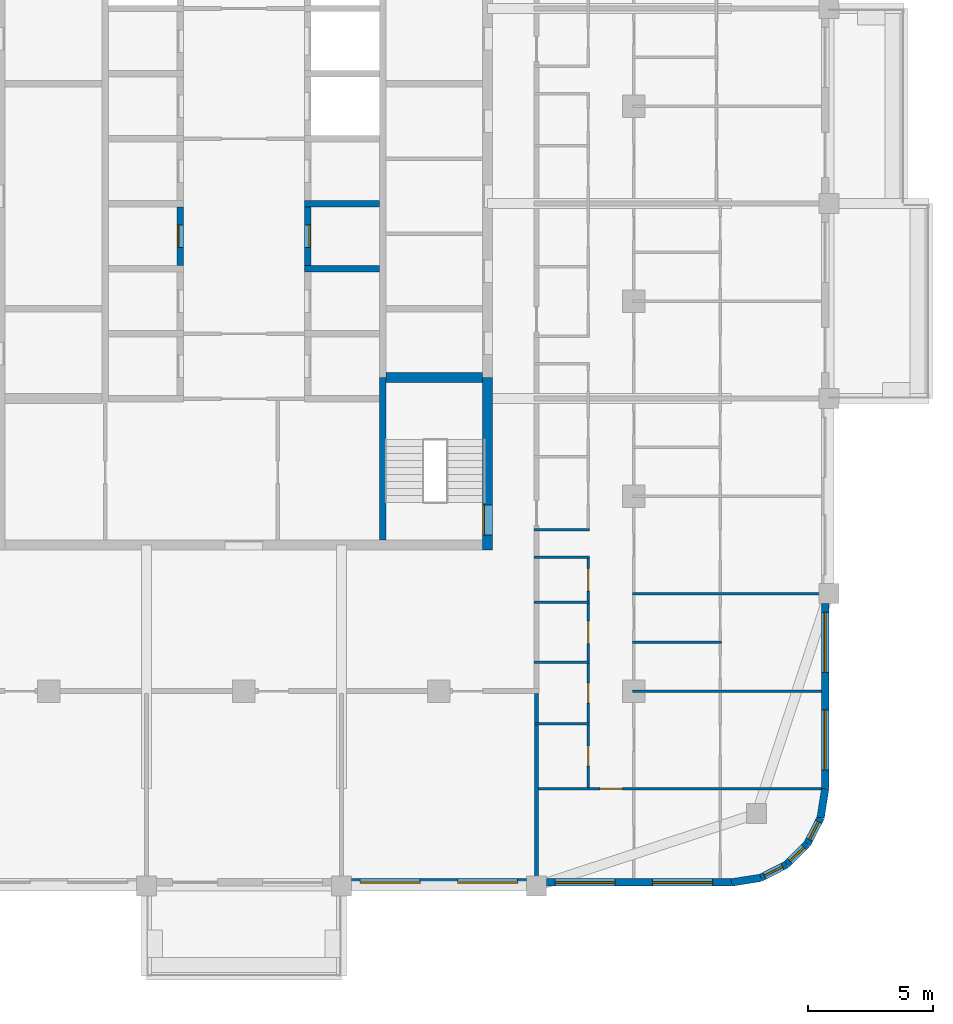
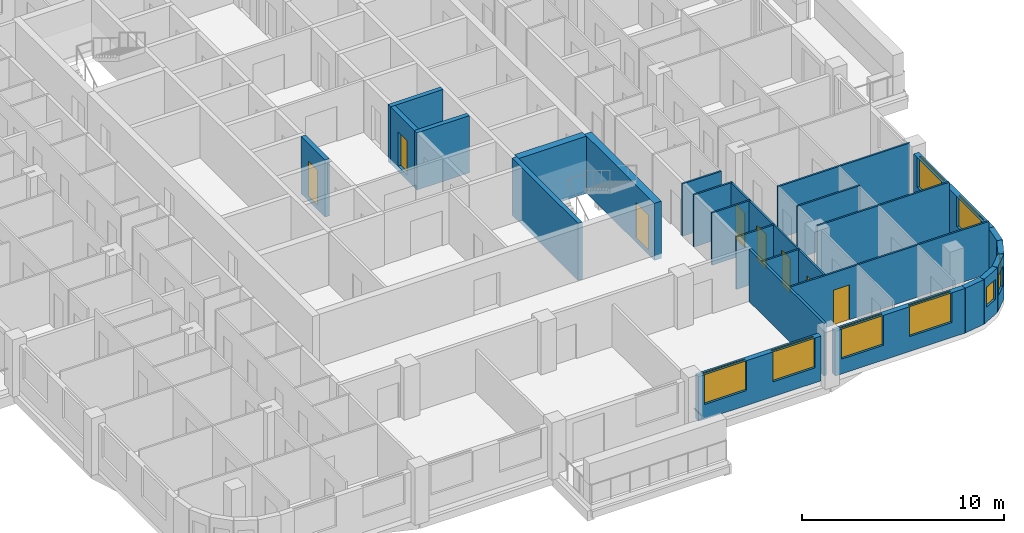
# One storey, part 5 of 15: 26 walls, 9 windows, 8 doors, 17 openings.
"""IFC4 building model written with IfcOpenShell, lengths in metres."""

import ifcopenshell
import ifcopenshell.guid

model = None  # the IFC model being written
_history = None  # IfcOwnerHistory: only IFC2X3 demands one
_inside = {}  # id of a spatial element -> (the spatial element, [elements in it])
_under = {}  # id of a project, library or spatial element -> (it, [spatial elements below it])
_declared = {}  # id of a project -> (the project, [libraries it declares])
_typed = {}  # id of a type object -> (the type object, [elements of that type])
_made_of = {}  # id of a material, layer set ... -> (it, [elements and type objects made of it])


def new_model(schema):
    """Start an empty IFC model of exactly this schema.

    Asked for "IFC4X3", IfcOpenShell would pick the latest addendum, in which some entities
    have other attributes; the version numbers below select the first issue.
    IFC2X3 requires an IfcOwnerHistory on every rooted entity: one is made here for all.
    """
    global model, _history
    if schema == "IFC4X3":
        model = ifcopenshell.file(schema_version=(4, 3, 0, 0))
    else:
        model = ifcopenshell.file(schema=schema)
    _inside.clear()
    _under.clear()
    _declared.clear()
    _typed.clear()
    _made_of.clear()
    _history = None
    if model.schema == "IFC2X3":
        org = make("IfcOrganization", Name="unknown")
        user = make(
            "IfcPersonAndOrganization",
            ThePerson=make("IfcPerson", FamilyName="unknown"),
            TheOrganization=org,
        )
        app = make(
            "IfcApplication",
            ApplicationDeveloper=org,
            Version="unknown",
            ApplicationFullName="unknown",
            ApplicationIdentifier="unknown",
        )
        _history = make(
            "IfcOwnerHistory",
            OwningUser=user,
            OwningApplication=app,
            ChangeAction="ADDED",
            CreationDate=0,
        )
    return model


def make(cls, **values):
    """One entity of the class cls with the attributes given. An attribute that is None is left unset."""
    return model.create_entity(
        cls, **{name: value for name, value in values.items() if value is not None}
    )


def rooted(cls, **values):
    """An entity with a GlobalId (a new one), such as an element, a storey or a relation."""
    return make(cls, GlobalId=ifcopenshell.guid.new(), OwnerHistory=_history, **values)


def si_unit(unit_type, name, prefix=None):
    """IfcSIUnit, for example si_unit("LENGTHUNIT", "METRE", prefix="MILLI")."""
    return make("IfcSIUnit", UnitType=unit_type, Prefix=prefix, Name=name)


def assignment(units):
    """IfcUnitAssignment: the units of a project."""
    return None if units is None else make("IfcUnitAssignment", Units=units)


def point(xyz):
    """IfcCartesianPoint."""
    return None if xyz is None else make("IfcCartesianPoint", Coordinates=xyz)


def direction(xyz):
    """IfcDirection."""
    return None if xyz is None else make("IfcDirection", DirectionRatios=xyz)


def frame(location, z_axis=None, x_axis=None):
    """IfcAxis2Placement3D, a coordinate frame: its origin and axes. An axis left out is left unset."""
    return make(
        "IfcAxis2Placement3D",
        Location=point(location),
        Axis=direction(z_axis),
        RefDirection=direction(x_axis),
    )


def frame_2d(location, x_axis=None):
    """IfcAxis2Placement2D, a coordinate frame in the plane: its origin and x axis."""
    return make(
        "IfcAxis2Placement2D", Location=point(location), RefDirection=direction(x_axis)
    )


def origin():
    """The frame at (0, 0, 0) with its axes left unset."""
    return frame((0.0, 0.0, 0.0))


def place(relative_to, where):
    """IfcLocalPlacement: puts the frame where relative to a parent placement (None: the world)."""
    return make(
        "IfcLocalPlacement", PlacementRelTo=relative_to, RelativePlacement=where
    )


def context(
    kind, dimensions, precision=None, world=None, true_north=None, identifier=None
):
    """IfcGeometricRepresentationContext, for example the 3D "Model" context."""
    return make(
        "IfcGeometricRepresentationContext",
        ContextIdentifier=identifier,
        ContextType=kind,
        CoordinateSpaceDimension=dimensions,
        Precision=precision,
        WorldCoordinateSystem=world,
        TrueNorth=true_north,
    )


def subcontext(parent, identifier, kind, view, scale=None):
    """IfcGeometricRepresentationSubContext, for example "Body" below "Model"."""
    return make(
        "IfcGeometricRepresentationSubContext",
        ContextIdentifier=identifier,
        ContextType=kind,
        ParentContext=parent,
        TargetScale=scale,
        TargetView=view,
    )


def project(units=None, contexts=None):
    """IfcProject with its units and contexts."""
    return rooted(
        "IfcProject",
        Name="project",
        RepresentationContexts=contexts,
        UnitsInContext=assignment(units),
    )


def spatial(cls, under=None, at=None, **own):
    """A site, building, storey or space (cls), placed at a placement, below another one or the project."""
    s = rooted(cls, ObjectPlacement=at, **own)
    if under is not None:
        _under.setdefault(under.id(), (under, []))[1].append(s)
    return s


def profile(cls, at=None, kind="AREA", **sizes):
    """A parametric profile (cls). Its sizes go by their IFC names, for example OverallWidth=200.0."""
    return make(cls, ProfileType=kind, Position=at, **sizes)


def rectangle(**sizes):
    """IfcRectangleProfileDef."""
    return profile("IfcRectangleProfileDef", **sizes)


def extrude(swept, where, along, depth):
    """IfcExtrudedAreaSolid: the profile swept, set in the frame where, extruded along a direction by depth."""
    return make(
        "IfcExtrudedAreaSolid",
        SweptArea=swept,
        Position=where,
        ExtrudedDirection=direction(along),
        Depth=depth,
    )


def shape(context_of_items, identifier, shape_type, items):
    """IfcShapeRepresentation: the items that make up one representation, for example the "Body"."""
    return make(
        "IfcShapeRepresentation",
        ContextOfItems=context_of_items,
        RepresentationIdentifier=identifier,
        RepresentationType=shape_type,
        Items=items,
    )


def material(Name=None, Category=None):
    """IfcMaterial."""
    return make("IfcMaterial", Name=Name, Category=Category)


def layer(
    of_material, thickness, ventilated=None, Name=None, Category=None, Priority=None
):
    """IfcMaterialLayer: one layer of a wall or slab, of a material (None: an air gap)."""
    return make(
        "IfcMaterialLayer",
        Material=of_material,
        LayerThickness=thickness,
        IsVentilated=ventilated,
        Name=Name,
        Category=Category,
        Priority=Priority,
    )


def layer_set(layers, Name=None):
    """IfcMaterialLayerSet."""
    return make("IfcMaterialLayerSet", MaterialLayers=layers, LayerSetName=Name)


def made_of(thing, what):
    """Note that an element or type object is made of a material, layer set ...; save() writes the relation."""
    if what is not None:
        _made_of.setdefault(what.id(), (what, []))[1].append(thing)
    return thing


def type_object(cls, material=None, **own):
    """A type object (cls), such as IfcWallType, which elements share."""
    return made_of(rooted(cls, **own), material)


def element(
    cls,
    number,
    at=None,
    inside=None,
    cuts=None,
    type_object=None,
    material=None,
    context=None,
    identifier="Body",
    shape_type=None,
    held_by="IfcProductDefinitionShape",
    body=None,
    shapes=None,
    **own,
):
    """One element of the class cls, such as IfcWall. Its Tag is "e" and its number.

    at: its placement. inside: the storey or other place that contains it. cuts: it is an
    opening in that element (IfcRelVoidsElement). A single representation is given by context,
    identifier, shape_type and body (its items); several are given by shapes. held_by: the class
    of the entity that holds the representations. save() writes the other relations.
    """
    e = rooted(cls, Tag="e%d" % number, ObjectPlacement=at, **own)
    if body is not None:
        shapes = [shape(context, identifier, shape_type, body)]
    if shapes is not None:
        e.Representation = make(held_by, Representations=shapes)
    if inside is not None:
        _inside.setdefault(inside.id(), (inside, []))[1].append(e)
    if cuts is not None:
        rooted(
            "IfcRelVoidsElement", RelatingBuildingElement=cuts, RelatedOpeningElement=e
        )
    if type_object is not None:
        _typed.setdefault(type_object.id(), (type_object, []))[1].append(e)
    return made_of(e, material)


def fill(opening, filler):
    """IfcRelFillsElement: the door or window that sits in an opening."""
    return rooted(
        "IfcRelFillsElement",
        RelatingOpeningElement=opening,
        RelatedBuildingElement=filler,
    )


def aggregate(whole, parts):
    """IfcRelAggregates: a whole, such as a stair, and the parts it consists of."""
    return rooted("IfcRelAggregates", RelatingObject=whole, RelatedObjects=parts)


def save(model, path):
    """Write the relations noted so far, then the file.

    IfcRelAggregates (storeys below a building ...), IfcRelContainedInSpatialStructure (elements
    in a storey), IfcRelDefinesByType, IfcRelAssociatesMaterial and IfcRelDeclares: one each for
    every whole, place, type object, material and project.
    """
    for whole, parts in _under.values():
        aggregate(whole, parts)
    for where, things in _inside.values():
        rooted(
            "IfcRelContainedInSpatialStructure",
            RelatedElements=things,
            RelatingStructure=where,
        )
    for kind, things in _typed.values():
        rooted("IfcRelDefinesByType", RelatedObjects=things, RelatingType=kind)
    for what, things in _made_of.values():
        rooted("IfcRelAssociatesMaterial", RelatedObjects=things, RelatingMaterial=what)
    for by, libraries in _declared.values():
        rooted("IfcRelDeclares", RelatingContext=by, RelatedDefinitions=libraries)
    model.write(path)


model = new_model("IFC4")

# Units and contexts
model_context = context("Model", 3, precision=1e-05, world=origin(), true_north=direction((0.0, 1.0)))
body_context = subcontext(model_context, "Body", "Model", "MODEL_VIEW")
ifc_project = project(units=[si_unit("LENGTHUNIT", "METRE"), si_unit("AREAUNIT", "SQUARE_METRE"), si_unit("VOLUMEUNIT", "CUBIC_METRE"), si_unit("PLANEANGLEUNIT", "RADIAN"), si_unit("MASSUNIT", "GRAM", prefix="KILO")], contexts=[model_context])

# Site, building, storey
site_placement = place(None, origin())
site = spatial("IfcSite", under=ifc_project, at=site_placement, CompositionType="ELEMENT")
building_placement = place(site_placement, origin())
building = spatial("IfcBuilding", under=site, at=building_placement, Name="Ludao Terraces", CompositionType="ELEMENT")
storey_placement = place(building_placement, frame((0.0, 0.0, 197.300048828125)))
storey = spatial("IfcBuildingStorey", under=building, at=storey_placement, Name="L53", CompositionType="ELEMENT", Elevation=197.300048828125)

# Wall, opening, door
ifc_material_1 = material(Name="Concrete C50", Category="concrete")
ifc_layer_1 = layer(ifc_material_1, 0.39990234375)
ifc_layer_set_1 = layer_set([ifc_layer_1], Name="Core wall 400 C50")
wall_type_1 = type_object("IfcWallType", Name="Core wall 400 C50", PredefinedType="SOLIDWALL", material=ifc_layer_set_1)
wall_1_placement = place(storey_placement, frame((94.75, 55.050048828125, -0.300048828125), z_axis=(0.0, 0.0, 1.0), x_axis=(0.0, 1.0, 0.0)))
wall_1 = element("IfcWall", 1, at=wall_1_placement, inside=storey, type_object=wall_type_1, Name="Core wall L53 outer-E-S3", PredefinedType="SOLIDWALL", context=body_context, shape_type="SweptSolid", body=[
    extrude(rectangle(XDim=6.89990234375, YDim=0.39990234375, at=frame_2d((3.449951171875, 0.0))), origin(), (0.0, 0.0, 1.0), 3.449951171875),
])
opening_1_placement = place(wall_1_placement, frame((0.60009765625, 0.0, 0.300048828125)))
opening_1 = element("IfcOpeningElement", 2, at=opening_1_placement, cuts=wall_1, Name="Opening R19-033", PredefinedType="OPENING", context=body_context, shape_type="SweptSolid", body=[
    extrude(rectangle(XDim=1.199951171875, YDim=2.10009765625, at=frame_2d((0.60009765625, 1.050048828125))), frame((0.0, 0.2099609375, 0.0), z_axis=(0.0, -1.0, 0.0), x_axis=(1.0, 0.0, 0.0)), (0.0, 0.0, 1.0), 0.419921875),
])
ifc_material_2 = material(Name="Steel Q235", Category="steel")
door_type_1 = type_object("IfcDoorType", Name="INT Stair door 1200", OperationType="DOUBLE_DOOR_SINGLE_SWING", PredefinedType="DOOR", material=ifc_material_2)
door_1_placement = place(opening_1_placement, origin())
door_1 = element("IfcDoor", 3, at=door_1_placement, inside=storey, type_object=door_type_1, Name="DOOR 033", OperationType="DOUBLE_DOOR_SINGLE_SWING", OverallHeight=2.10009765625, OverallWidth=1.199951171875, PredefinedType="DOOR", context=body_context, shape_type="SweptSolid", body=[
    extrude(rectangle(XDim=1.199951171875, YDim=2.10009765625, at=frame_2d((0.60009765625, 1.050048828125))), frame((0.0, 0.18505859375, 0.0), z_axis=(0.0, -1.0, 0.0), x_axis=(1.0, 0.0, 0.0)), (0.0, 0.0, 1.0), 0.050048828125),
])
fill(opening_1, door_1)

# Wall, openings, windows
ifc_material_3 = material(Name="Granite cladding", Category="masonry")
ifc_layer_2 = layer(ifc_material_3, 0.0400390625, Category="stone")
ifc_material_4 = material(Name="Mineral wool")
ifc_layer_3 = layer(ifc_material_4, 0.06005859375)
ifc_material_5 = material(Name="Concrete C40", Category="concrete")
ifc_layer_4 = layer(ifc_material_5, 0.199951171875, Category="concrete")
ifc_layer_set_2 = layer_set([ifc_layer_2, ifc_layer_3, ifc_layer_4], Name="ENV Stone-clad wall 300")
wall_type_2 = type_object("IfcWallType", Name="ENV Stone-clad wall 300", PredefinedType="SOLIDWALL", material=ifc_layer_set_2)
wall_2_placement = place(storey_placement, frame((89.300048828125, 41.75, 0.0), z_axis=(0.0, 0.0, 1.0), x_axis=(1.0, 0.0, 0.0)))
wall_2 = element("IfcWall", 4, at=wall_2_placement, inside=storey, type_object=wall_type_2, Name="EW-L53-S4", PredefinedType="SOLIDWALL", context=body_context, shape_type="SweptSolid", body=[
    extrude(rectangle(XDim=7.0, YDim=0.300048828125, at=frame_2d((3.5, 0.0))), origin(), (0.0, 0.0, 1.0), 2.699951171875),
])
opening_2_placement = place(wall_2_placement, frame((0.35009765625, 0.0, 0.89990234375)))
opening_2 = element("IfcOpeningElement", 5, at=opening_2_placement, cuts=wall_2, Name="Opening W1", PredefinedType="OPENING", context=body_context, shape_type="SweptSolid", body=[
    extrude(rectangle(XDim=2.39990234375, YDim=1.800048828125, at=frame_2d((1.199951171875, 0.89990234375))), frame((0.0, 0.16015625, 0.0), z_axis=(0.0, -1.0, 0.0), x_axis=(1.0, 0.0, 0.0)), (0.0, 0.0, 1.0), 0.320068359375),
])
opening_3_placement = place(wall_2_placement, frame((4.25, 0.0, 0.89990234375)))
opening_3 = element("IfcOpeningElement", 6, at=opening_3_placement, cuts=wall_2, Name="Opening W1", PredefinedType="OPENING", context=body_context, shape_type="SweptSolid", body=[
    extrude(rectangle(XDim=2.39990234375, YDim=1.800048828125, at=frame_2d((1.199951171875, 0.89990234375))), frame((0.0, 0.16015625, 0.0), z_axis=(0.0, -1.0, 0.0), x_axis=(1.0, 0.0, 0.0)), (0.0, 0.0, 1.0), 0.320068359375),
])
ifc_material_6 = material(Name="Clear glass in aluminium frame", Category="aluminium")
ifc_layer_5 = layer(ifc_material_6, 0.06005859375)
ifc_layer_set_3 = layer_set([ifc_layer_5], Name="ENV Window W1 2400x1800")
window_type_1 = type_object("IfcWindowType", Name="ENV Window W1 2400x1800", PartitioningType="DOUBLE_PANEL_VERTICAL", PredefinedType="WINDOW", material=ifc_layer_set_3)
window_1_placement = place(opening_2_placement, origin())
window_1 = element("IfcWindow", 7, at=window_1_placement, inside=storey, type_object=window_type_1, Name="W-L53-S4-1", OverallHeight=1.800048828125, OverallWidth=2.39990234375, PartitioningType="DOUBLE_PANEL_VERTICAL", PredefinedType="WINDOW", context=body_context, shape_type="SweptSolid", body=[
    extrude(rectangle(XDim=2.39990234375, YDim=1.800048828125, at=frame_2d((1.199951171875, 0.89990234375))), frame((0.0, 0.030029296875, 0.0), z_axis=(0.0, -1.0, 0.0), x_axis=(1.0, 0.0, 0.0)), (0.0, 0.0, 1.0), 0.06005859375),
])
fill(opening_2, window_1)
window_2_placement = place(opening_3_placement, origin())
window_2 = element("IfcWindow", 8, at=window_2_placement, inside=storey, type_object=window_type_1, Name="W-L53-S4-2", OverallHeight=1.800048828125, OverallWidth=2.39990234375, PartitioningType="DOUBLE_PANEL_VERTICAL", PredefinedType="WINDOW", context=body_context, shape_type="SweptSolid", body=[
    extrude(rectangle(XDim=2.39990234375, YDim=1.800048828125, at=frame_2d((1.199951171875, 0.89990234375))), frame((0.0, 0.030029296875, 0.0), z_axis=(0.0, -1.0, 0.0), x_axis=(1.0, 0.0, 0.0)), (0.0, 0.0, 1.0), 0.06005859375),
])
fill(opening_3, window_2)

wall_3_placement = place(storey_placement, frame((97.10009765625, 41.75, 0.0), z_axis=(0.0, 0.0, 1.0), x_axis=(1.0, 0.0, 0.0)))
wall_3 = element("IfcWall", 9, at=wall_3_placement, inside=storey, type_object=wall_type_2, Name="EW-L53-S5", PredefinedType="SOLIDWALL", context=body_context, shape_type="SweptSolid", body=[
    extrude(rectangle(XDim=7.39990234375, YDim=0.300048828125, at=frame_2d((3.699951171875, 0.0))), origin(), (0.0, 0.0, 1.0), 2.699951171875),
])
opening_4_placement = place(wall_3_placement, frame((0.35009765625, 0.0, 0.89990234375)))
opening_4 = element("IfcOpeningElement", 10, at=opening_4_placement, cuts=wall_3, Name="Opening W1", PredefinedType="OPENING", context=body_context, shape_type="SweptSolid", body=[
    extrude(rectangle(XDim=2.39990234375, YDim=1.800048828125, at=frame_2d((1.199951171875, 0.89990234375))), frame((0.0, 0.16015625, 0.0), z_axis=(0.0, -1.0, 0.0), x_axis=(1.0, 0.0, 0.0)), (0.0, 0.0, 1.0), 0.320068359375),
])
opening_5_placement = place(wall_3_placement, frame((4.25, 0.0, 0.89990234375)))
opening_5 = element("IfcOpeningElement", 11, at=opening_5_placement, cuts=wall_3, Name="Opening W1", PredefinedType="OPENING", context=body_context, shape_type="SweptSolid", body=[
    extrude(rectangle(XDim=2.39990234375, YDim=1.800048828125, at=frame_2d((1.199951171875, 0.89990234375))), frame((0.0, 0.16015625, 0.0), z_axis=(0.0, -1.0, 0.0), x_axis=(1.0, 0.0, 0.0)), (0.0, 0.0, 1.0), 0.320068359375),
])
window_3_placement = place(opening_4_placement, origin())
window_3 = element("IfcWindow", 12, at=window_3_placement, inside=storey, type_object=window_type_1, Name="W-L53-S5-1", OverallHeight=1.800048828125, OverallWidth=2.39990234375, PartitioningType="DOUBLE_PANEL_VERTICAL", PredefinedType="WINDOW", context=body_context, shape_type="SweptSolid", body=[
    extrude(rectangle(XDim=2.39990234375, YDim=1.800048828125, at=frame_2d((1.199951171875, 0.89990234375))), frame((0.0, 0.030029296875, 0.0), z_axis=(0.0, -1.0, 0.0), x_axis=(1.0, 0.0, 0.0)), (0.0, 0.0, 1.0), 0.06005859375),
])
fill(opening_4, window_3)
window_4_placement = place(opening_5_placement, origin())
window_4 = element("IfcWindow", 13, at=window_4_placement, inside=storey, type_object=window_type_1, Name="W-L53-S5-2", OverallHeight=1.800048828125, OverallWidth=2.39990234375, PartitioningType="DOUBLE_PANEL_VERTICAL", PredefinedType="WINDOW", context=body_context, shape_type="SweptSolid", body=[
    extrude(rectangle(XDim=2.39990234375, YDim=1.800048828125, at=frame_2d((1.199951171875, 0.89990234375))), frame((0.0, 0.030029296875, 0.0), z_axis=(0.0, -1.0, 0.0), x_axis=(1.0, 0.0, 0.0)), (0.0, 0.0, 1.0), 0.06005859375),
])
fill(opening_5, window_4)

wall_4_placement = place(storey_placement, frame((108.25, 45.5, 0.0), z_axis=(0.0, 0.0, 1.0), x_axis=(0.0, 1.0, 0.0)))
wall_4 = element("IfcWall", 14, at=wall_4_placement, inside=storey, type_object=wall_type_2, Name="EW-L53-E1", PredefinedType="SOLIDWALL", context=body_context, shape_type="SweptSolid", body=[
    extrude(rectangle(XDim=7.39990234375, YDim=0.300048828125, at=frame_2d((3.699951171875, 0.0))), origin(), (0.0, 0.0, 1.0), 2.699951171875),
])
opening_6_placement = place(wall_4_placement, frame((0.75, 0.0, 0.89990234375)))
opening_6 = element("IfcOpeningElement", 15, at=opening_6_placement, cuts=wall_4, Name="Opening W1", PredefinedType="OPENING", context=body_context, shape_type="SweptSolid", body=[
    extrude(rectangle(XDim=2.39990234375, YDim=1.800048828125, at=frame_2d((1.199951171875, 0.89990234375))), frame((0.0, 0.16015625, 0.0), z_axis=(0.0, -1.0, 0.0), x_axis=(1.0, 0.0, 0.0)), (0.0, 0.0, 1.0), 0.320068359375),
])
opening_7_placement = place(wall_4_placement, frame((4.64990234375, 0.0, 0.89990234375)))
opening_7 = element("IfcOpeningElement", 16, at=opening_7_placement, cuts=wall_4, Name="Opening W1", PredefinedType="OPENING", context=body_context, shape_type="SweptSolid", body=[
    extrude(rectangle(XDim=2.39990234375, YDim=1.800048828125, at=frame_2d((1.199951171875, 0.89990234375))), frame((0.0, 0.16015625, 0.0), z_axis=(0.0, -1.0, 0.0), x_axis=(1.0, 0.0, 0.0)), (0.0, 0.0, 1.0), 0.320068359375),
])
window_5_placement = place(opening_6_placement, origin())
window_5 = element("IfcWindow", 17, at=window_5_placement, inside=storey, type_object=window_type_1, Name="W-L53-E1-1", OverallHeight=1.800048828125, OverallWidth=2.39990234375, PartitioningType="DOUBLE_PANEL_VERTICAL", PredefinedType="WINDOW", context=body_context, shape_type="SweptSolid", body=[
    extrude(rectangle(XDim=2.39990234375, YDim=1.800048828125, at=frame_2d((1.199951171875, 0.89990234375))), frame((0.0, 0.030029296875, 0.0), z_axis=(0.0, -1.0, 0.0), x_axis=(1.0, 0.0, 0.0)), (0.0, 0.0, 1.0), 0.06005859375),
])
fill(opening_6, window_5)
window_6_placement = place(opening_7_placement, origin())
window_6 = element("IfcWindow", 18, at=window_6_placement, inside=storey, type_object=window_type_1, Name="W-L53-E1-2", OverallHeight=1.800048828125, OverallWidth=2.39990234375, PartitioningType="DOUBLE_PANEL_VERTICAL", PredefinedType="WINDOW", context=body_context, shape_type="SweptSolid", body=[
    extrude(rectangle(XDim=2.39990234375, YDim=1.800048828125, at=frame_2d((1.199951171875, 0.89990234375))), frame((0.0, 0.030029296875, 0.0), z_axis=(0.0, -1.0, 0.0), x_axis=(1.0, 0.0, 0.0)), (0.0, 0.0, 1.0), 0.06005859375),
])
fill(opening_7, window_6)

# Wall
wall_5_placement = place(storey_placement, frame((104.5, 41.75, 0.0), z_axis=(0.0, 0.0, 1.0), x_axis=(0.987678452879, 0.156496880861, 0.0)))
element("IfcWall", 19, at=wall_5_placement, inside=storey, type_object=wall_type_2, Name="EW-L53-SE1", PredefinedType="SOLIDWALL", context=body_context, shape_type="SweptSolid", body=[
    extrude(rectangle(XDim=1.173095703125, YDim=0.300048828125, at=frame_2d((0.58642578125, 0.0))), origin(), (0.0, 0.0, 1.0), 2.699951171875),
])

# Wall, opening, window
wall_6_placement = place(storey_placement, frame((105.65869140625, 41.93359375, 0.0), z_axis=(0.0, 0.0, 1.0), x_axis=(0.890988677504, 0.454025524128, 0.0)))
wall_6 = element("IfcWall", 20, at=wall_6_placement, inside=storey, type_object=wall_type_2, Name="EW-L53-SE2", PredefinedType="SOLIDWALL", context=body_context, shape_type="SweptSolid", body=[
    extrude(rectangle(XDim=1.17333984375, YDim=0.300048828125, at=frame_2d((0.586669921875, 0.0))), origin(), (0.0, 0.0, 1.0), 2.699951171875),
])
opening_8_placement = place(wall_6_placement, frame((0.1865234375, 0.0, 0.89990234375)))
opening_8 = element("IfcOpeningElement", 21, at=opening_8_placement, cuts=wall_6, Name="Opening W3", PredefinedType="OPENING", context=body_context, shape_type="SweptSolid", body=[
    extrude(rectangle(XDim=0.800048828125, YDim=1.199951171875, at=frame_2d((0.39990234375, 0.60009765625))), frame((0.0, 0.16015625, 0.0), z_axis=(0.0, -1.0, 0.0), x_axis=(1.0, 0.0, 0.0)), (0.0, 0.0, 1.0), 0.320068359375),
])
ifc_layer_6 = layer(ifc_material_6, 0.06005859375)
ifc_layer_set_4 = layer_set([ifc_layer_6], Name="ENV Window W3 800x1200")
window_type_2 = type_object("IfcWindowType", Name="ENV Window W3 800x1200", PartitioningType="SINGLE_PANEL", PredefinedType="WINDOW", material=ifc_layer_set_4)
window_7_placement = place(opening_8_placement, origin())
window_7 = element("IfcWindow", 22, at=window_7_placement, inside=storey, type_object=window_type_2, Name="W-L53-SE2", OverallHeight=1.199951171875, OverallWidth=0.800048828125, PartitioningType="SINGLE_PANEL", PredefinedType="WINDOW", context=body_context, shape_type="SweptSolid", body=[
    extrude(rectangle(XDim=0.800048828125, YDim=1.199951171875, at=frame_2d((0.39990234375, 0.60009765625))), frame((0.0, 0.030029296875, 0.0), z_axis=(0.0, -1.0, 0.0), x_axis=(1.0, 0.0, 0.0)), (0.0, 0.0, 1.0), 0.06005859375),
])
fill(opening_8, window_7)

wall_7_placement = place(storey_placement, frame((106.7041015625, 42.46630859375, 0.0), z_axis=(0.0, 0.0, 1.0), x_axis=(0.707106781187, 0.707106781187, 0.0)))
wall_7 = element("IfcWall", 23, at=wall_7_placement, inside=storey, type_object=wall_type_2, Name="EW-L53-SE3", PredefinedType="SOLIDWALL", context=body_context, shape_type="SweptSolid", body=[
    extrude(rectangle(XDim=1.173095703125, YDim=0.300048828125, at=frame_2d((0.58642578125, 0.0))), origin(), (0.0, 0.0, 1.0), 2.699951171875),
])
opening_9_placement = place(wall_7_placement, frame((0.1865234375, 0.0, 0.89990234375)))
opening_9 = element("IfcOpeningElement", 24, at=opening_9_placement, cuts=wall_7, Name="Opening W3", PredefinedType="OPENING", context=body_context, shape_type="SweptSolid", body=[
    extrude(rectangle(XDim=0.800048828125, YDim=1.199951171875, at=frame_2d((0.39990234375, 0.60009765625))), frame((0.0, 0.16015625, 0.0), z_axis=(0.0, -1.0, 0.0), x_axis=(1.0, 0.0, 0.0)), (0.0, 0.0, 1.0), 0.320068359375),
])
window_8_placement = place(opening_9_placement, origin())
window_8 = element("IfcWindow", 25, at=window_8_placement, inside=storey, type_object=window_type_2, Name="W-L53-SE3", OverallHeight=1.199951171875, OverallWidth=0.800048828125, PartitioningType="SINGLE_PANEL", PredefinedType="WINDOW", context=body_context, shape_type="SweptSolid", body=[
    extrude(rectangle(XDim=0.800048828125, YDim=1.199951171875, at=frame_2d((0.39990234375, 0.60009765625))), frame((0.0, 0.030029296875, 0.0), z_axis=(0.0, -1.0, 0.0), x_axis=(1.0, 0.0, 0.0)), (0.0, 0.0, 1.0), 0.06005859375),
])
fill(opening_9, window_8)

wall_8_placement = place(storey_placement, frame((107.53369140625, 43.2958984375, 0.0), z_axis=(0.0, 0.0, 1.0), x_axis=(0.454025524128, 0.890988677504, 0.0)))
wall_8 = element("IfcWall", 26, at=wall_8_placement, inside=storey, type_object=wall_type_2, Name="EW-L53-SE4", PredefinedType="SOLIDWALL", context=body_context, shape_type="SweptSolid", body=[
    extrude(rectangle(XDim=1.17333984375, YDim=0.300048828125, at=frame_2d((0.586669921875, 0.0))), origin(), (0.0, 0.0, 1.0), 2.699951171875),
])
opening_10_placement = place(wall_8_placement, frame((0.1865234375, 0.0, 0.89990234375)))
opening_10 = element("IfcOpeningElement", 27, at=opening_10_placement, cuts=wall_8, Name="Opening W3", PredefinedType="OPENING", context=body_context, shape_type="SweptSolid", body=[
    extrude(rectangle(XDim=0.800048828125, YDim=1.199951171875, at=frame_2d((0.39990234375, 0.60009765625))), frame((0.0, 0.16015625, 0.0), z_axis=(0.0, -1.0, 0.0), x_axis=(1.0, 0.0, 0.0)), (0.0, 0.0, 1.0), 0.320068359375),
])
window_9_placement = place(opening_10_placement, origin())
window_9 = element("IfcWindow", 28, at=window_9_placement, inside=storey, type_object=window_type_2, Name="W-L53-SE4", OverallHeight=1.199951171875, OverallWidth=0.800048828125, PartitioningType="SINGLE_PANEL", PredefinedType="WINDOW", context=body_context, shape_type="SweptSolid", body=[
    extrude(rectangle(XDim=0.800048828125, YDim=1.199951171875, at=frame_2d((0.39990234375, 0.60009765625))), frame((0.0, 0.030029296875, 0.0), z_axis=(0.0, -1.0, 0.0), x_axis=(1.0, 0.0, 0.0)), (0.0, 0.0, 1.0), 0.06005859375),
])
fill(opening_10, window_9)

# Wall
wall_9_placement = place(storey_placement, frame((108.06640625, 44.34130859375, 0.0), z_axis=(0.0, 0.0, 1.0), x_axis=(0.156496880861, 0.987678452879, 0.0)))
element("IfcWall", 29, at=wall_9_placement, inside=storey, type_object=wall_type_2, Name="EW-L53-SE5", PredefinedType="SOLIDWALL", context=body_context, shape_type="SweptSolid", body=[
    extrude(rectangle(XDim=1.173095703125, YDim=0.300048828125, at=frame_2d((0.58642578125, 0.0))), origin(), (0.0, 0.0, 1.0), 2.699951171875),
])

# Wall, opening, door
ifc_material_7 = material(Name="Gypsum plasterboard", Category="gypsum")
ifc_layer_7 = layer(ifc_material_7, 0.012451171875, Category="gypsum")
ifc_layer_8 = layer(ifc_material_4, 0.06005859375, Name="insulation")
ifc_layer_9 = layer(ifc_material_2, 0.014892578125, Name="stud")
ifc_layer_10 = layer(ifc_material_7, 0.012451171875, Category="gypsum")
ifc_layer_set_5 = layer_set([ifc_layer_7, ifc_layer_8, ifc_layer_9, ifc_layer_10], Name="INT Partition 100")
wall_type_3 = type_object("IfcWallType", Name="INT Partition 100", PredefinedType="PARTITIONING", material=ifc_layer_set_5)
wall_10_placement = place(storey_placement, frame((96.625, 45.5, 0.0), z_axis=(0.0, 0.0, 1.0), x_axis=(1.0, 0.0, 0.0)))
wall_10 = element("IfcWall", 30, at=wall_10_placement, inside=storey, type_object=wall_type_3, Name="PW-L53-PW001", PredefinedType="PARTITIONING", context=body_context, shape_type="SweptSolid", body=[
    extrude(rectangle(XDim=11.47509765625, YDim=0.10009765625, at=frame_2d((5.737548828125, 0.0))), origin(), (0.0, 0.0, 1.0), 3.14990234375),
])
opening_11_placement = place(wall_10_placement, frame((2.610107421875, 0.0, 0.0)))
opening_11 = element("IfcOpeningElement", 31, at=opening_11_placement, cuts=wall_10, Name="Opening R19-006", PredefinedType="OPENING", context=body_context, shape_type="SweptSolid", body=[
    extrude(rectangle(XDim=0.89990234375, YDim=2.10009765625, at=frame_2d((0.449951171875, 1.050048828125))), frame((0.0, 0.06005859375, 0.0), z_axis=(0.0, -1.0, 0.0), x_axis=(1.0, 0.0, 0.0)), (0.0, 0.0, 1.0), 0.1201171875),
])
ifc_material_8 = material(Name="Timber door leaf", Category="wood")
door_type_2 = type_object("IfcDoorType", Name="INT Room door 900", OperationType="SINGLE_SWING_LEFT", PredefinedType="DOOR", material=ifc_material_8)
door_2_placement = place(opening_11_placement, origin())
door_2 = element("IfcDoor", 32, at=door_2_placement, inside=storey, type_object=door_type_2, Name="DOOR 006", OperationType="SINGLE_SWING_LEFT", OverallHeight=2.10009765625, OverallWidth=0.89990234375, PredefinedType="DOOR", context=body_context, shape_type="SweptSolid", body=[
    extrude(rectangle(XDim=0.89990234375, YDim=2.10009765625, at=frame_2d((0.449951171875, 1.050048828125))), frame((0.0, 0.02490234375, 0.0), z_axis=(0.0, -1.0, 0.0), x_axis=(1.0, 0.0, 0.0)), (0.0, 0.0, 1.0), 0.050048828125),
])
fill(opening_11, door_2)

# Walls
wall_11_placement = place(storey_placement, frame((96.625, 48.10009765625, 0.0), z_axis=(0.0, 0.0, 1.0), x_axis=(1.0, 0.0, 0.0)))
element("IfcWall", 33, at=wall_11_placement, inside=storey, type_object=wall_type_3, Name="PW-L53-PW002", PredefinedType="PARTITIONING", context=body_context, shape_type="SweptSolid", body=[
    extrude(rectangle(XDim=2.195068359375, YDim=0.10009765625, at=frame_2d((1.09765625, 0.0))), origin(), (0.0, 0.0, 1.0), 3.14990234375),
])
wall_12_placement = place(storey_placement, frame((100.550048828125, 49.39990234375, 0.0), z_axis=(0.0, 0.0, 1.0), x_axis=(1.0, 0.0, 0.0)))
element("IfcWall", 34, at=wall_12_placement, inside=storey, type_object=wall_type_3, Name="PW-L53-PW006", PredefinedType="PARTITIONING", context=body_context, shape_type="SweptSolid", body=[
    extrude(rectangle(XDim=7.550048828125, YDim=0.10009765625, at=frame_2d((3.77490234375, 0.0))), origin(), (0.0, 0.0, 1.0), 3.14990234375),
])
wall_13_placement = place(storey_placement, frame((96.60009765625, 50.550048828125, 0.0), z_axis=(0.0, 0.0, 1.0), x_axis=(1.0, 0.0, 0.0)))
element("IfcWall", 35, at=wall_13_placement, inside=storey, type_object=wall_type_3, Name="PW-L53-PW008", PredefinedType="PARTITIONING", context=body_context, shape_type="SweptSolid", body=[
    extrude(rectangle(XDim=2.219970703125, YDim=0.10009765625, at=frame_2d((1.10986328125, 0.0))), origin(), (0.0, 0.0, 1.0), 3.14990234375),
])
wall_14_placement = place(storey_placement, frame((100.550048828125, 51.35009765625, 0.0), z_axis=(0.0, 0.0, 1.0), x_axis=(1.0, 0.0, 0.0)))
element("IfcWall", 36, at=wall_14_placement, inside=storey, type_object=wall_type_3, Name="PW-L53-PW009", PredefinedType="PARTITIONING", context=body_context, shape_type="SweptSolid", body=[
    extrude(rectangle(XDim=3.550048828125, YDim=0.10009765625, at=frame_2d((1.77490234375, 0.0))), origin(), (0.0, 0.0, 1.0), 3.14990234375),
])
wall_15_placement = place(storey_placement, frame((96.60009765625, 52.949951171875, 0.0), z_axis=(0.0, 0.0, 1.0), x_axis=(1.0, 0.0, 0.0)))
element("IfcWall", 37, at=wall_15_placement, inside=storey, type_object=wall_type_3, Name="PW-L53-PW010", PredefinedType="PARTITIONING", context=body_context, shape_type="SweptSolid", body=[
    extrude(rectangle(XDim=2.219970703125, YDim=0.10009765625, at=frame_2d((1.10986328125, 0.0))), origin(), (0.0, 0.0, 1.0), 3.14990234375),
])
wall_16_placement = place(storey_placement, frame((100.550048828125, 53.300048828125, 0.0), z_axis=(0.0, 0.0, 1.0), x_axis=(1.0, 0.0, 0.0)))
element("IfcWall", 38, at=wall_16_placement, inside=storey, type_object=wall_type_3, Name="PW-L53-PW013", PredefinedType="PARTITIONING", context=body_context, shape_type="SweptSolid", body=[
    extrude(rectangle(XDim=7.550048828125, YDim=0.10009765625, at=frame_2d((3.77490234375, 0.0))), origin(), (0.0, 0.0, 1.0), 3.14990234375),
])
for number, where, z_axis, x_axis, name in (
    (39, (96.60009765625, 54.75, 0.0), (0.0, 0.0, 1.0), (1.0, 0.0, 0.0), "PW-L53-PW014"),
    (40, (96.60009765625, 55.85009765625, 0.0), (0.0, 0.0, 1.0), (1.0, 0.0, 0.0), "PW-L53-PW017"),
):
    element("IfcWall", number, at=place(storey_placement, frame(where, z_axis=z_axis, x_axis=x_axis)), inside=storey, type_object=wall_type_3, Name=name, PredefinedType="PARTITIONING", context=body_context, shape_type="SweptSolid", body=[
        extrude(rectangle(XDim=2.219970703125, YDim=0.10009765625, at=frame_2d((1.10986328125, 0.0))), origin(), (0.0, 0.0, 1.0), 3.14990234375),
    ])

# Wall, openings, doors
wall_17_placement = place(storey_placement, frame((98.77001953125, 45.550048828125, 0.0), z_axis=(0.0, 0.0, 1.0), x_axis=(0.0, 1.0, 0.0)))
wall_17 = element("IfcWall", 41, at=wall_17_placement, inside=storey, type_object=wall_type_3, Name="PW-L53-PW097", PredefinedType="PARTITIONING", context=body_context, shape_type="SweptSolid", body=[
    extrude(rectangle(XDim=9.150146484375, YDim=0.10009765625, at=frame_2d((4.5751953125, 0.0))), origin(), (0.0, 0.0, 1.0), 3.14990234375),
])
opening_12_placement = place(wall_17_placement, frame((0.85009765625, 0.0, 0.0)))
opening_12 = element("IfcOpeningElement", 42, at=opening_12_placement, cuts=wall_17, Name="Opening R19-007", PredefinedType="OPENING", context=body_context, shape_type="SweptSolid", body=[
    extrude(rectangle(XDim=0.800048828125, YDim=2.10009765625, at=frame_2d((0.39990234375, 1.050048828125))), frame((0.0, 0.06005859375, 0.0), z_axis=(0.0, -1.0, 0.0), x_axis=(1.0, 0.0, 0.0)), (0.0, 0.0, 1.0), 0.1201171875),
])
opening_13_placement = place(wall_17_placement, frame((3.375, 0.0, 0.0)))
opening_13 = element("IfcOpeningElement", 43, at=opening_13_placement, cuts=wall_17, Name="Opening R19-014", PredefinedType="OPENING", context=body_context, shape_type="SweptSolid", body=[
    extrude(rectangle(XDim=0.800048828125, YDim=2.10009765625, at=frame_2d((0.39990234375, 1.050048828125))), frame((0.0, 0.06005859375, 0.0), z_axis=(0.0, -1.0, 0.0), x_axis=(1.0, 0.0, 0.0)), (0.0, 0.0, 1.0), 0.1201171875),
])
opening_14_placement = place(wall_17_placement, frame((5.75, 0.0, 0.0)))
opening_14 = element("IfcOpeningElement", 44, at=opening_14_placement, cuts=wall_17, Name="Opening R19-022", PredefinedType="OPENING", context=body_context, shape_type="SweptSolid", body=[
    extrude(rectangle(XDim=0.89990234375, YDim=2.10009765625, at=frame_2d((0.449951171875, 1.050048828125))), frame((0.0, 0.06005859375, 0.0), z_axis=(0.0, -1.0, 0.0), x_axis=(1.0, 0.0, 0.0)), (0.0, 0.0, 1.0), 0.1201171875),
])
opening_15_placement = place(wall_17_placement, frame((7.85009765625, 0.0, 0.0)))
opening_15 = element("IfcOpeningElement", 45, at=opening_15_placement, cuts=wall_17, Name="Opening R19-025", PredefinedType="OPENING", context=body_context, shape_type="SweptSolid", body=[
    extrude(rectangle(XDim=0.89990234375, YDim=2.10009765625, at=frame_2d((0.449951171875, 1.050048828125))), frame((0.0, 0.06005859375, 0.0), z_axis=(0.0, -1.0, 0.0), x_axis=(1.0, 0.0, 0.0)), (0.0, 0.0, 1.0), 0.1201171875),
])
door_type_3 = type_object("IfcDoorType", Name="INT Bathroom door 900", OperationType="SINGLE_SWING_LEFT", PredefinedType="DOOR", material=ifc_material_8)
door_3_placement = place(opening_14_placement, origin())
door_3 = element("IfcDoor", 46, at=door_3_placement, inside=storey, type_object=door_type_3, Name="DOOR 022", OperationType="SINGLE_SWING_LEFT", OverallHeight=2.10009765625, OverallWidth=0.89990234375, PredefinedType="DOOR", context=body_context, shape_type="SweptSolid", body=[
    extrude(rectangle(XDim=0.89990234375, YDim=2.10009765625, at=frame_2d((0.449951171875, 1.050048828125))), frame((0.0, 0.02490234375, 0.0), z_axis=(0.0, -1.0, 0.0), x_axis=(1.0, 0.0, 0.0)), (0.0, 0.0, 1.0), 0.050048828125),
])
fill(opening_14, door_3)
door_4_placement = place(opening_15_placement, origin())
door_4 = element("IfcDoor", 47, at=door_4_placement, inside=storey, type_object=door_type_3, Name="DOOR 025", OperationType="SINGLE_SWING_LEFT", OverallHeight=2.10009765625, OverallWidth=0.89990234375, PredefinedType="DOOR", context=body_context, shape_type="SweptSolid", body=[
    extrude(rectangle(XDim=0.89990234375, YDim=2.10009765625, at=frame_2d((0.449951171875, 1.050048828125))), frame((0.0, 0.02490234375, 0.0), z_axis=(0.0, -1.0, 0.0), x_axis=(1.0, 0.0, 0.0)), (0.0, 0.0, 1.0), 0.050048828125),
])
fill(opening_15, door_4)
door_type_4 = type_object("IfcDoorType", Name="INT Store door 800", OperationType="SINGLE_SWING_LEFT", PredefinedType="DOOR", material=ifc_material_8)
door_5_placement = place(opening_12_placement, origin())
door_5 = element("IfcDoor", 48, at=door_5_placement, inside=storey, type_object=door_type_4, Name="DOOR 007", OperationType="SINGLE_SWING_RIGHT", OverallHeight=2.10009765625, OverallWidth=0.800048828125, PredefinedType="DOOR", context=body_context, shape_type="SweptSolid", body=[
    extrude(rectangle(XDim=0.800048828125, YDim=2.10009765625, at=frame_2d((0.39990234375, 1.050048828125))), frame((0.0, 0.02490234375, 0.0), z_axis=(0.0, -1.0, 0.0), x_axis=(1.0, 0.0, 0.0)), (0.0, 0.0, 1.0), 0.050048828125),
])
fill(opening_12, door_5)
door_6_placement = place(opening_13_placement, origin())
door_6 = element("IfcDoor", 49, at=door_6_placement, inside=storey, type_object=door_type_4, Name="DOOR 014", OperationType="SINGLE_SWING_LEFT", OverallHeight=2.10009765625, OverallWidth=0.800048828125, PredefinedType="DOOR", context=body_context, shape_type="SweptSolid", body=[
    extrude(rectangle(XDim=0.800048828125, YDim=2.10009765625, at=frame_2d((0.39990234375, 1.050048828125))), frame((0.0, 0.02490234375, 0.0), z_axis=(0.0, -1.0, 0.0), x_axis=(1.0, 0.0, 0.0)), (0.0, 0.0, 1.0), 0.050048828125),
])
fill(opening_13, door_6)

# Walls
ifc_material_9 = material(Name="Autoclaved aerated concrete block B06 A3.5", Category="concrete")
ifc_layer_11 = layer(ifc_material_9, 0.14990234375)
ifc_layer_set_6 = layer_set([ifc_layer_11], Name="INT Party wall 150")
wall_type_4 = type_object("IfcWallType", Name="INT Party wall 150", PredefinedType="PARTITIONING", material=ifc_layer_set_6)
wall_18_placement = place(storey_placement, frame((96.699951171875, 41.900146484375, 0.0), z_axis=(0.0, 0.0, 1.0), x_axis=(0.0, 1.0, 0.0)))
element("IfcWall", 50, at=wall_18_placement, inside=storey, type_object=wall_type_4, Name="PW-L53-PW094", PredefinedType="PARTITIONING", context=body_context, shape_type="SweptSolid", body=[
    extrude(rectangle(XDim=7.39990234375, YDim=0.14990234375, at=frame_2d((3.699951171875, 0.0))), origin(), (0.0, 0.0, 1.0), 3.14990234375),
])
ifc_layer_12 = layer(ifc_material_1, 0.25)
ifc_layer_set_7 = layer_set([ifc_layer_12], Name="Shaft wall 250 C50")
wall_type_5 = type_object("IfcWallType", Name="Shaft wall 250 C50", PredefinedType="SOLIDWALL", material=ifc_layer_set_7)
wall_19_placement = place(storey_placement, frame((90.550048828125, 55.449951171875, -0.300048828125), z_axis=(0.0, 0.0, 1.0), x_axis=(0.0, 1.0, 0.0)))
element("IfcWall", 51, at=wall_19_placement, inside=storey, type_object=wall_type_5, Name="Core wall L53 back-E-S3", PredefinedType="SOLIDWALL", context=body_context, shape_type="SweptSolid", body=[
    extrude(rectangle(XDim=6.5, YDim=0.25, at=frame_2d((3.25, 0.0))), origin(), (0.0, 0.0, 1.0), 3.449951171875),
])

# Wall, opening, door
wall_20_placement = place(storey_placement, frame((82.449951171875, 66.425048828125, -0.300048828125), z_axis=(0.0, 0.0, 1.0), x_axis=(0.0, 1.0, 0.0)))
wall_20 = element("IfcWall", 52, at=wall_20_placement, inside=storey, type_object=wall_type_5, Name="Core wall L53 front-W3", PredefinedType="SOLIDWALL", context=body_context, shape_type="SweptSolid", body=[
    extrude(rectangle(XDim=2.349853515625, YDim=0.25, at=frame_2d((1.1748046875, 0.0))), origin(), (0.0, 0.0, 1.0), 3.449951171875),
])
opening_16_placement = place(wall_20_placement, frame((0.72509765625, 0.0, 0.300048828125)))
opening_16 = element("IfcOpeningElement", 53, at=opening_16_placement, cuts=wall_20, Name="Opening R19-070", PredefinedType="OPENING", context=body_context, shape_type="SweptSolid", body=[
    extrude(rectangle(XDim=0.89990234375, YDim=2.10009765625, at=frame_2d((0.449951171875, 1.050048828125))), frame((0.0, 0.135009765625, 0.0), z_axis=(0.0, -1.0, 0.0), x_axis=(1.0, 0.0, 0.0)), (0.0, 0.0, 1.0), 0.27001953125),
])
door_7_placement = place(opening_16_placement, origin())
door_7 = element("IfcDoor", 54, at=door_7_placement, inside=storey, type_object=door_type_2, Name="DOOR 070", OperationType="SINGLE_SWING_LEFT", OverallHeight=2.10009765625, OverallWidth=0.89990234375, PredefinedType="DOOR", context=body_context, shape_type="SweptSolid", body=[
    extrude(rectangle(XDim=0.89990234375, YDim=2.10009765625, at=frame_2d((0.449951171875, 1.050048828125))), frame((0.0, 0.10986328125, 0.0), z_axis=(0.0, -1.0, 0.0), x_axis=(1.0, 0.0, 0.0)), (0.0, 0.0, 1.0), 0.050048828125),
])
fill(opening_16, door_7)

# Wall
wall_21_placement = place(storey_placement, frame((87.425048828125, 66.300048828125, -0.300048828125), z_axis=(0.0, 0.0, 1.0), x_axis=(1.0, 0.0, 0.0)))
element("IfcWall", 55, at=wall_21_placement, inside=storey, type_object=wall_type_5, Name="Core wall L53 div-E3", PredefinedType="SOLIDWALL", context=body_context, shape_type="SweptSolid", body=[
    extrude(rectangle(XDim=3.0, YDim=0.25, at=frame_2d((1.5, 0.0))), origin(), (0.0, 0.0, 1.0), 3.449951171875),
])

# Wall, opening, door
wall_22_placement = place(storey_placement, frame((87.550048828125, 66.425048828125, -0.300048828125), z_axis=(0.0, 0.0, 1.0), x_axis=(0.0, 1.0, 0.0)))
wall_22 = element("IfcWall", 56, at=wall_22_placement, inside=storey, type_object=wall_type_5, Name="Core wall L53 front-E3", PredefinedType="SOLIDWALL", context=body_context, shape_type="SweptSolid", body=[
    extrude(rectangle(XDim=2.349853515625, YDim=0.25, at=frame_2d((1.1748046875, 0.0))), origin(), (0.0, 0.0, 1.0), 3.449951171875),
])
opening_17_placement = place(wall_22_placement, frame((0.72509765625, 0.0, 0.300048828125)))
opening_17 = element("IfcOpeningElement", 57, at=opening_17_placement, cuts=wall_22, Name="Opening R19-071", PredefinedType="OPENING", context=body_context, shape_type="SweptSolid", body=[
    extrude(rectangle(XDim=0.89990234375, YDim=2.10009765625, at=frame_2d((0.449951171875, 1.050048828125))), frame((0.0, 0.135009765625, 0.0), z_axis=(0.0, -1.0, 0.0), x_axis=(1.0, 0.0, 0.0)), (0.0, 0.0, 1.0), 0.27001953125),
])
door_8_placement = place(opening_17_placement, origin())
door_8 = element("IfcDoor", 58, at=door_8_placement, inside=storey, type_object=door_type_2, Name="DOOR 071", OperationType="SINGLE_SWING_RIGHT", OverallHeight=2.10009765625, OverallWidth=0.89990234375, PredefinedType="DOOR", context=body_context, shape_type="SweptSolid", body=[
    extrude(rectangle(XDim=0.89990234375, YDim=2.10009765625, at=frame_2d((0.449951171875, 1.050048828125))), frame((0.0, -0.06005859375, 0.0), z_axis=(0.0, -1.0, 0.0), x_axis=(1.0, 0.0, 0.0)), (0.0, 0.0, 1.0), 0.050048828125),
])
fill(opening_17, door_8)

# Walls
wall_23_placement = place(storey_placement, frame((87.425048828125, 68.89990234375, -0.300048828125), z_axis=(0.0, 0.0, 1.0), x_axis=(1.0, 0.0, 0.0)))
element("IfcWall", 59, at=wall_23_placement, inside=storey, type_object=wall_type_5, Name="Core wall L53 div-E4", PredefinedType="SOLIDWALL", context=body_context, shape_type="SweptSolid", body=[
    extrude(rectangle(XDim=3.0, YDim=0.25, at=frame_2d((1.5, 0.0))), origin(), (0.0, 0.0, 1.0), 3.449951171875),
])
ifc_layer_13 = layer(ifc_material_1, 0.39990234375)
ifc_layer_set_8 = layer_set([ifc_layer_13], Name="Shaft wall 400 C50")
wall_type_6 = type_object("IfcWallType", Name="Shaft wall 400 C50", PredefinedType="SOLIDWALL", material=ifc_layer_set_8)
wall_24_placement = place(storey_placement, frame((90.675048828125, 61.949951171875, -0.300048828125), z_axis=(0.0, 0.0, 1.0), x_axis=(1.0, 0.0, 0.0)))
element("IfcWall", 60, at=wall_24_placement, inside=storey, type_object=wall_type_6, Name="Core wall L53 hall-E", PredefinedType="SOLIDWALL", context=body_context, shape_type="SweptSolid", body=[
    extrude(rectangle(XDim=3.875, YDim=0.39990234375, at=frame_2d((1.9375, 0.0))), origin(), (0.0, 0.0, 1.0), 3.449951171875),
])

save(model, "model.ifc")
